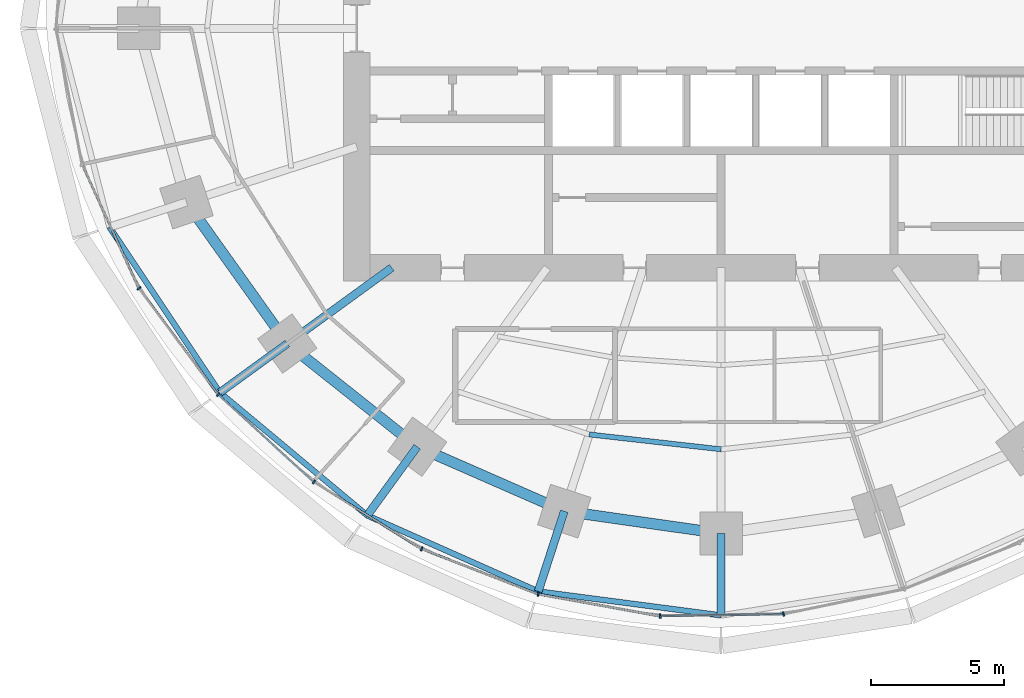
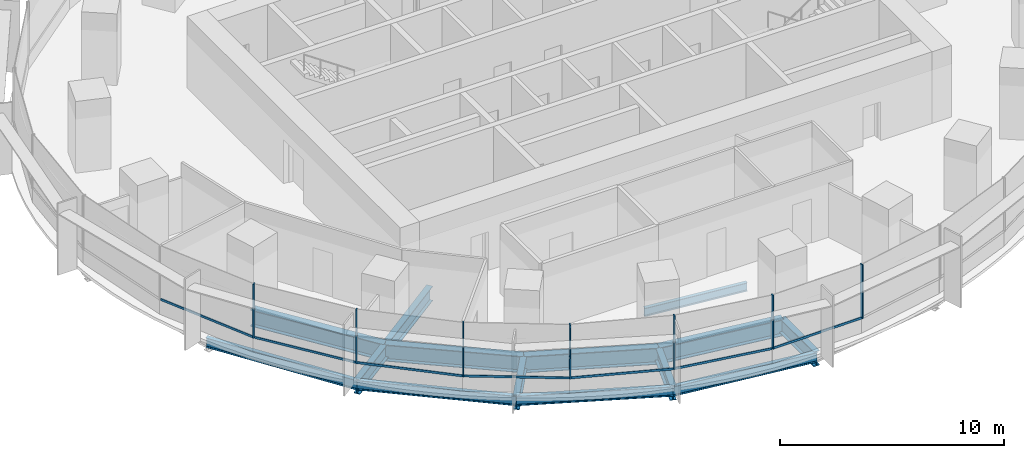
# One storey, part 2 of 14: 14 beams, 14 members, 2 elements without a shape of their own.
"""IFC4 building model written with IfcOpenShell, lengths in metres."""

from ifc_helpers import new_model, si_unit, direction, frame, origin, origin_2d, place, context, subcontext, project, spatial, rectangle, i_section, extrude, material, material_profile, profile_set, type_object, element, aggregate, save


model = new_model("IFC4")

# Units and contexts
model_context = context("Model", 3, precision=1e-05, world=origin(), true_north=direction((0.0, 1.0)))
body_context = subcontext(model_context, "Body", "Model", "MODEL_VIEW")
ifc_project = project(units=[si_unit("LENGTHUNIT", "METRE"), si_unit("AREAUNIT", "SQUARE_METRE"), si_unit("VOLUMEUNIT", "CUBIC_METRE"), si_unit("PLANEANGLEUNIT", "RADIAN"), si_unit("MASSUNIT", "GRAM", prefix="KILO")], contexts=[model_context])

# Site, building, storey
site_placement = place(None, origin())
site = spatial("IfcSite", under=ifc_project, at=site_placement, CompositionType="ELEMENT")
building_placement = place(site_placement, origin())
building = spatial("IfcBuilding", under=site, at=building_placement, Name="Marramba Exchange Tower", CompositionType="ELEMENT")
storey_placement = place(building_placement, frame((0.0, 0.0, 100.199951171875)))
storey = spatial("IfcBuildingStorey", under=building, at=storey_placement, Name="L23", CompositionType="ELEMENT", Elevation=100.199951171875)

# Beams
ifc_material_1 = material(Name="Steel AS/NZS 3679.2 grade 300", Category="steel")
ifc_material_profile_1 = material_profile(ifc_material_1, i_section(OverallWidth=0.300048828125, OverallDepth=0.800048828125, WebThickness=0.013916015625, FlangeThickness=0.031982421875, at=origin_2d()), Name="800WB192")
ifc_profile_set_1 = profile_set([ifc_material_profile_1], Name="Steel AS/NZS 3679.2 grade 300")
beam_type_1 = type_object("IfcBeamType", Name="Cantilever girder 800WB192", PredefinedType="BEAM", material=ifc_profile_set_1)
beam_1_placement = place(storey_placement, frame((-16.3154296875, -11.853759765625, -0.56005859375), z_axis=(-0.809025813822, -0.587773113173, 0.0), x_axis=(0.587773113173, -0.809025813822, 0.0)))
element("IfcBeam", 1, at=beam_1_placement, inside=storey, type_object=beam_type_1, Name="Cantilever girder L23 TC13", PredefinedType="BEAM", context=body_context, shape_type="SweptSolid", body=[
    extrude(i_section(OverallWidth=0.300048828125, OverallDepth=0.800048828125, WebThickness=0.013916015625, FlangeThickness=0.031982421875, at=origin_2d()), origin(), (0.0, 0.0, 1.0), 3.132568359375),
])
beam_2_placement = place(storey_placement, frame((-11.430419921875, -15.732666015625, -0.56005859375), z_axis=(-0.587767308424, -0.809030031054, 0.0), x_axis=(0.809030031054, -0.587767308424, 0.0)))
element("IfcBeam", 2, at=beam_2_placement, inside=storey, type_object=beam_type_1, Name="Cantilever girder L23 TC14", PredefinedType="BEAM", context=body_context, shape_type="SweptSolid", body=[
    extrude(i_section(OverallWidth=0.300048828125, OverallDepth=0.800048828125, WebThickness=0.013916015625, FlangeThickness=0.031982421875, at=origin_2d()), origin(), (0.0, 0.0, 1.0), 3.195556640625),
])
beam_3_placement = place(storey_placement, frame((-5.899658203125, -18.156982421875, -0.56005859375), z_axis=(-0.309018232614, -0.951056113966, 0.0), x_axis=(0.951056113966, -0.309018232614, 0.0)))
element("IfcBeam", 3, at=beam_3_placement, inside=storey, type_object=beam_type_1, Name="Cantilever girder L23 TC15", PredefinedType="BEAM", context=body_context, shape_type="SweptSolid", body=[
    extrude(i_section(OverallWidth=0.300048828125, OverallDepth=0.800048828125, WebThickness=0.013916015625, FlangeThickness=0.031982421875, at=origin_2d()), origin(), (0.0, 0.0, 1.0), 3.173583984375),
])
beam_4_placement = place(storey_placement, frame((0.0, -18.99609375, -0.56005859375), z_axis=(0.0, -1.0, 0.0), x_axis=(1.0, 0.0, 0.0)))
element("IfcBeam", 4, at=beam_4_placement, inside=storey, type_object=beam_type_1, Name="Cantilever girder L23 TC16", PredefinedType="BEAM", context=body_context, shape_type="SweptSolid", body=[
    extrude(i_section(OverallWidth=0.300048828125, OverallDepth=0.800048828125, WebThickness=0.013916015625, FlangeThickness=0.031982421875, at=origin_2d()), origin(), (0.0, 0.0, 1.0), 3.080810546875),
])
ifc_material_2 = material(Name="Steel AS/NZS 3679.1 grade 300", Category="steel")
ifc_material_profile_2 = material_profile(ifc_material_2, i_section(OverallWidth=0.18994140625, OverallDepth=0.4541015625, WebThickness=0.008544921875, FlangeThickness=0.0126953125, FilletRadius=0.011474609375, at=origin_2d()), Name="460UB67.1")
ifc_profile_set_2 = profile_set([ifc_material_profile_2], Name="Steel AS/NZS 3679.1 grade 300")
beam_type_2 = type_object("IfcBeamType", Name="Floor joist 460UB67.1", PredefinedType="JOIST", material=ifc_profile_set_2)
beam_5_placement = place(storey_placement, frame((-4.9619140625, -15.271484375, -0.386962890625), z_axis=(0.993712018573, -0.111966174106, 0.0), x_axis=(0.111966174106, 0.993712018573, 0.0)))
element("IfcBeam", 5, at=beam_5_placement, inside=storey, type_object=beam_type_2, Name="Joist L23 bay 15 row 2", PredefinedType="JOIST", context=body_context, shape_type="SweptSolid", body=[
    extrude(i_section(OverallWidth=0.18994140625, OverallDepth=0.4541015625, WebThickness=0.008544921875, FlangeThickness=0.0126953125, FilletRadius=0.011474609375, at=origin_2d()), origin(), (0.0, 0.0, 1.0), 4.993408203125),
])

# Curtain wall, members
ifc_material_3 = material(Name="Aluminium framing, bronze anodised", Category="aluminium")
curtain_wall_type = type_object("IfcCurtainWallType", Name="Office ribbon curtain wall", PredefinedType="USERDEFINED", material=ifc_material_3)
curtain_wall_1_placement = place(storey_placement, origin())
curtain_wall_1 = element("IfcCurtainWall", 6, at=curtain_wall_1_placement, inside=storey, type_object=curtain_wall_type, Name="Curtain wall CW4 L23 F16-F20", ObjectType="RIBBON CURTAIN WALL", PredefinedType="USERDEFINED")
ifc_material_4 = material(Name="Aluminium mullion, bronze anodised", Category="aluminium")
ifc_material_profile_3 = material_profile(ifc_material_4, rectangle(XDim=0.159912109375, YDim=0.06005859375, at=origin_2d()), Name="CW4 mullion 60x160")
ifc_profile_set_3 = profile_set([ifc_material_profile_3], Name="Aluminium mullion, bronze anodised")
member_type_1 = type_object("IfcMemberType", Name="Office ribbon curtain wall mullion", PredefinedType="MULLION", material=ifc_profile_set_3)
member_1_placement = place(storey_placement, frame((-21.891357421875, -9.778564453125, 0.800048828125), z_axis=(0.0, 0.0, 1.0), x_axis=(0.802014400683, 0.597304697033, 0.0)))
member_1 = element("IfcMember", 7, at=member_1_placement, type_object=member_type_1, Name="CW4 mullion 1", PredefinedType="MULLION", context=body_context, shape_type="SweptSolid", body=[
    extrude(rectangle(XDim=0.159912109375, YDim=0.06005859375, at=origin_2d()), origin(), (0.0, 0.0, 1.0), 2.93994140625),
])
member_2_placement = place(storey_placement, frame((-18.90869140625, -13.774169921875, 0.800048828125), z_axis=(0.0, 0.0, 1.0), x_axis=(0.674995455115, 0.737821886077, 0.0)))
member_2 = element("IfcMember", 8, at=member_2_placement, type_object=member_type_1, Name="CW4 mullion 1", PredefinedType="MULLION", context=body_context, shape_type="SweptSolid", body=[
    extrude(rectangle(XDim=0.159912109375, YDim=0.06005859375, at=origin_2d()), origin(), (0.0, 0.0, 1.0), 2.93994140625),
])
member_3_placement = place(storey_placement, frame((-15.315673828125, -17.053955078125, 0.800048828125), z_axis=(0.0, 0.0, 1.0), x_axis=(0.52942844364, 0.84835459748, 0.0)))
member_3 = element("IfcMember", 9, at=member_3_placement, type_object=member_type_1, Name="CW4 mullion 1", PredefinedType="MULLION", context=body_context, shape_type="SweptSolid", body=[
    extrude(rectangle(XDim=0.159912109375, YDim=0.06005859375, at=origin_2d()), origin(), (0.0, 0.0, 1.0), 2.93994140625),
])

curtain_wall_2_placement = place(storey_placement, origin())
curtain_wall_2 = element("IfcCurtainWall", 10, at=curtain_wall_2_placement, inside=storey, type_object=curtain_wall_type, Name="Curtain wall CW4 L23 F21-F25", ObjectType="RIBBON CURTAIN WALL", PredefinedType="USERDEFINED")
member_4_placement = place(storey_placement, frame((-11.266845703125, -19.573974609375, 0.800048828125), z_axis=(0.0, 0.0, 1.0), x_axis=(0.36292490603, 0.931818390344, 0.0)))
member_4 = element("IfcMember", 11, at=member_4_placement, type_object=member_type_1, Name="CW4 mullion 1", PredefinedType="MULLION", context=body_context, shape_type="SweptSolid", body=[
    extrude(rectangle(XDim=0.159912109375, YDim=0.06005859375, at=origin_2d()), origin(), (0.0, 0.0, 1.0), 2.93994140625),
])
member_5_placement = place(storey_placement, frame((-6.881591796875, -21.27587890625, 0.800048828125), z_axis=(0.0, 0.0, 1.0), x_axis=(0.177992379115, 0.984031865834, 0.0)))
member_5 = element("IfcMember", 12, at=member_5_placement, type_object=member_type_1, Name="CW4 mullion 1", PredefinedType="MULLION", context=body_context, shape_type="SweptSolid", body=[
    extrude(rectangle(XDim=0.159912109375, YDim=0.06005859375, at=origin_2d()), origin(), (0.0, 0.0, 1.0), 2.93994140625),
])
member_6_placement = place(storey_placement, frame((-2.292724609375, -22.099853515625, 0.800048828125), z_axis=(0.0, 0.0, 1.0), x_axis=(-0.015178646521, 0.999884797709, 0.0)))
member_6 = element("IfcMember", 13, at=member_6_placement, type_object=member_type_1, Name="CW4 mullion 1", PredefinedType="MULLION", context=body_context, shape_type="SweptSolid", body=[
    extrude(rectangle(XDim=0.159912109375, YDim=0.06005859375, at=origin_2d()), origin(), (0.0, 0.0, 1.0), 2.93994140625),
])
member_7_placement = place(storey_placement, frame((2.3447265625, -22.02392578125, 0.800048828125), z_axis=(0.0, 0.0, 1.0), x_axis=(-0.202364850159, 0.979310199794, 0.0)))
member_7 = element("IfcMember", 14, at=member_7_placement, type_object=member_type_1, Name="CW4 mullion 1", PredefinedType="MULLION", context=body_context, shape_type="SweptSolid", body=[
    extrude(rectangle(XDim=0.159912109375, YDim=0.06005859375, at=origin_2d()), origin(), (0.0, 0.0, 1.0), 2.93994140625),
])

# Member
ifc_material_5 = material(Name="Aluminium transom, bronze anodised", Category="aluminium")
ifc_material_profile_4 = material_profile(ifc_material_5, rectangle(XDim=0.06005859375, YDim=0.1201171875, at=origin_2d()), Name="CW4 transom 60x120")
ifc_profile_set_4 = profile_set([ifc_material_profile_4], Name="Aluminium transom, bronze anodised")
member_type_2 = type_object("IfcMemberType", Name="Office ribbon curtain wall transom", PredefinedType="USERDEFINED", material=ifc_profile_set_4)
member_8_placement = place(storey_placement, frame((-24.013671875, -5.1640625, 0.830078125), z_axis=(0.416732948599, -0.909028959688, 0.0), x_axis=(0.909028959688, 0.416732948599, 0.0)))
member_8 = element("IfcMember", 15, at=member_8_placement, type_object=member_type_2, Name="CW4 sill transom", ObjectType="TRANSOM", PredefinedType="USERDEFINED", context=body_context, shape_type="SweptSolid", body=[
    extrude(rectangle(XDim=0.06005859375, YDim=0.1201171875, at=origin_2d()), origin(), (0.0, 0.0, 1.0), 5.050048828125),
])

member_9_placement = place(storey_placement, frame((-21.873291015625, -9.802734375, 0.830078125), z_axis=(0.597300736643, -0.80201735019, 0.0), x_axis=(0.80201735019, 0.597300736643, 0.0)))
member_9 = element("IfcMember", 16, at=member_9_placement, type_object=member_type_2, Name="CW4 sill transom", ObjectType="TRANSOM", PredefinedType="USERDEFINED", context=body_context, shape_type="SweptSolid", body=[
    extrude(rectangle(XDim=0.06005859375, YDim=0.1201171875, at=origin_2d()), origin(), (0.0, 0.0, 1.0), 4.926513671875),
])

member_10_placement = place(storey_placement, frame((-18.886474609375, -13.79443359375, 0.830078125), z_axis=(0.737807565469, -0.675011108306, 0.0), x_axis=(0.675011108306, 0.737807565469, 0.0)))
member_10 = element("IfcMember", 17, at=member_10_placement, type_object=member_type_2, Name="CW4 sill transom", ObjectType="TRANSOM", PredefinedType="USERDEFINED", context=body_context, shape_type="SweptSolid", body=[
    extrude(rectangle(XDim=0.06005859375, YDim=0.1201171875, at=origin_2d()), origin(), (0.0, 0.0, 1.0), 4.805419921875),
])

member_11_placement = place(storey_placement, frame((-15.2900390625, -17.06982421875, 0.830078125), z_axis=(0.848373790728, -0.529397687193, 0.0), x_axis=(0.529397687193, 0.848373790728, 0.0)))
member_11 = element("IfcMember", 18, at=member_11_placement, type_object=member_type_2, Name="CW4 sill transom", ObjectType="TRANSOM", PredefinedType="USERDEFINED", context=body_context, shape_type="SweptSolid", body=[
    extrude(rectangle(XDim=0.06005859375, YDim=0.1201171875, at=origin_2d()), origin(), (0.0, 0.0, 1.0), 4.70947265625),
])

aggregate(curtain_wall_1, [member_8, member_1, member_9, member_2, member_10, member_3, member_11])

member_12_placement = place(storey_placement, frame((-11.23876953125, -19.5849609375, 0.830078125), z_axis=(0.931817106708, -0.362928201778, 0.0), x_axis=(0.362928201778, 0.931817106708, 0.0)))
member_12 = element("IfcMember", 19, at=member_12_placement, type_object=member_type_2, Name="CW4 sill transom", ObjectType="TRANSOM", PredefinedType="USERDEFINED", context=body_context, shape_type="SweptSolid", body=[
    extrude(rectangle(XDim=0.06005859375, YDim=0.1201171875, at=origin_2d()), origin(), (0.0, 0.0, 1.0), 4.644287109375),
])

member_13_placement = place(storey_placement, frame((-6.85205078125, -21.281005859375, 0.830078125), z_axis=(0.98402906811, -0.178007845654, 0.0), x_axis=(0.178007845654, 0.98402906811, 0.0)))
member_13 = element("IfcMember", 20, at=member_13_placement, type_object=member_type_2, Name="CW4 sill transom", ObjectType="TRANSOM", PredefinedType="USERDEFINED", context=body_context, shape_type="SweptSolid", body=[
    extrude(rectangle(XDim=0.06005859375, YDim=0.1201171875, at=origin_2d()), origin(), (0.0, 0.0, 1.0), 4.602783203125),
])

member_14_placement = place(storey_placement, frame((-2.262939453125, -22.099365234375, 0.830078125), z_axis=(0.999885345665, 0.015142507235, 0.0), x_axis=(-0.015142507235, 0.999885345665, 0.0)))
member_14 = element("IfcMember", 21, at=member_14_placement, type_object=member_type_2, Name="CW4 sill transom", ObjectType="TRANSOM", PredefinedType="USERDEFINED", context=body_context, shape_type="SweptSolid", body=[
    extrude(rectangle(XDim=0.06005859375, YDim=0.1201171875, at=origin_2d()), origin(), (0.0, 0.0, 1.0), 4.578857421875),
])

aggregate(curtain_wall_2, [member_4, member_12, member_5, member_13, member_6, member_14, member_7])

# Beams
ifc_material_profile_5 = material_profile(ifc_material_1, i_section(OverallWidth=0.300048828125, OverallDepth=0.800048828125, WebThickness=0.013916015625, FlangeThickness=0.031982421875, at=origin_2d()), Name="800WB192")
ifc_profile_set_5 = profile_set([ifc_material_profile_5], Name="Steel AS/NZS 3679.2 grade 300")
beam_type_3 = type_object("IfcBeamType", Name="Radial girder 800WB192", PredefinedType="BEAM", material=ifc_profile_set_5)
beam_6_placement = place(storey_placement, frame((-12.387451171875, -9.0, -0.56005859375), z_axis=(-0.809025189606, -0.58777397236, 0.0), x_axis=(0.58777397236, -0.809025189606, 0.0)))
element("IfcBeam", 22, at=beam_6_placement, inside=storey, type_object=beam_type_3, Name="Radial girder L23 TC13", PredefinedType="BEAM", context=body_context, shape_type="SweptSolid", body=[
    extrude(i_section(OverallWidth=0.300048828125, OverallDepth=0.800048828125, WebThickness=0.013916015625, FlangeThickness=0.031982421875, at=origin_2d()), origin(), (0.0, 0.0, 1.0), 4.855224609375),
])
ifc_material_profile_6 = material_profile(ifc_material_1, i_section(OverallWidth=0.39990234375, OverallDepth=0.89990234375, WebThickness=0.01611328125, FlangeThickness=0.031982421875, at=origin_2d()), Name="900WB282")
ifc_profile_set_6 = profile_set([ifc_material_profile_6], Name="Steel AS/NZS 3679.2 grade 300")
beam_type_4 = type_object("IfcBeamType", Name="Ring beam 900WB282", PredefinedType="SPANDREL", material=ifc_profile_set_6)
beam_7_placement = place(storey_placement, frame((-20.109375, -6.533935546875, -0.60986328125), z_axis=(0.580637181111, -0.814162430914, 0.0), x_axis=(0.814162430914, 0.580637181111, 0.0)))
element("IfcBeam", 23, at=beam_7_placement, inside=storey, type_object=beam_type_4, Name="Ring beam L23 TC12-TC13", PredefinedType="SPANDREL", context=body_context, shape_type="SweptSolid", body=[
    extrude(i_section(OverallWidth=0.39990234375, OverallDepth=0.89990234375, WebThickness=0.01611328125, FlangeThickness=0.031982421875, at=origin_2d()), origin(), (0.0, 0.0, 1.0), 6.5341796875),
])
beam_8_placement = place(storey_placement, frame((-16.3154296875, -11.853759765625, -0.60986328125), z_axis=(0.783139438128, -0.621846138887, 0.0), x_axis=(0.621846138887, 0.783139438128, 0.0)))
element("IfcBeam", 24, at=beam_8_placement, inside=storey, type_object=beam_type_4, Name="Ring beam L23 TC13-TC14", PredefinedType="SPANDREL", context=body_context, shape_type="SweptSolid", body=[
    extrude(i_section(OverallWidth=0.39990234375, OverallDepth=0.89990234375, WebThickness=0.01611328125, FlangeThickness=0.031982421875, at=origin_2d()), origin(), (0.0, 0.0, 1.0), 6.23779296875),
])
beam_9_placement = place(storey_placement, frame((-11.430419921875, -15.732666015625, -0.60986328125), z_axis=(0.915876892158, -0.4014592363, 0.0), x_axis=(0.4014592363, 0.915876892158, 0.0)))
element("IfcBeam", 25, at=beam_9_placement, inside=storey, type_object=beam_type_4, Name="Ring beam L23 TC14-TC15", PredefinedType="SPANDREL", context=body_context, shape_type="SweptSolid", body=[
    extrude(i_section(OverallWidth=0.39990234375, OverallDepth=0.89990234375, WebThickness=0.01611328125, FlangeThickness=0.031982421875, at=origin_2d()), origin(), (0.0, 0.0, 1.0), 6.038818359375),
])
beam_10_placement = place(storey_placement, frame((-5.899658203125, -18.156982421875, -0.60986328125), z_axis=(0.990036163016, -0.140813337152, 0.0), x_axis=(0.140813337152, 0.990036163016, 0.0)))
element("IfcBeam", 26, at=beam_10_placement, inside=storey, type_object=beam_type_4, Name="Ring beam L23 TC15-TC16", PredefinedType="SPANDREL", context=body_context, shape_type="SweptSolid", body=[
    extrude(i_section(OverallWidth=0.39990234375, OverallDepth=0.89990234375, WebThickness=0.01611328125, FlangeThickness=0.031982421875, at=origin_2d()), origin(), (0.0, 0.0, 1.0), 5.958984375),
])
ifc_material_profile_7 = material_profile(ifc_material_2, i_section(OverallWidth=0.208984375, OverallDepth=0.528076171875, WebThickness=0.009521484375, FlangeThickness=0.01318359375, FilletRadius=0.013916015625, at=origin_2d()), Name="530UB82.0")
ifc_profile_set_7 = profile_set([ifc_material_profile_7], Name="Steel AS/NZS 3679.1 grade 300")
beam_type_5 = type_object("IfcBeamType", Name="Slab edge beam 530UB82.0", PredefinedType="SPANDREL", material=ifc_profile_set_7)
beam_11_placement = place(storey_placement, frame((-23.00341796875, -7.47412109375, -0.424072265625), z_axis=(0.555280023791, -0.831663450669, 0.0), x_axis=(0.831663450669, 0.555280023791, 0.0)))
element("IfcBeam", 27, at=beam_11_placement, inside=storey, type_object=beam_type_5, Name="Slab edge beam L23 TC12-TC13", PredefinedType="SPANDREL", context=body_context, shape_type="SweptSolid", body=[
    extrude(i_section(OverallWidth=0.208984375, OverallDepth=0.528076171875, WebThickness=0.009521484375, FlangeThickness=0.01318359375, FilletRadius=0.013916015625, at=origin_2d()), origin(), (0.0, 0.0, 1.0), 7.480224609375),
])
beam_12_placement = place(storey_placement, frame((-18.849853515625, -13.695068359375, -0.424072265625), z_axis=(0.767874532322, -0.640600267415, 0.0), x_axis=(0.640600267415, 0.767874532322, 0.0)))
element("IfcBeam", 28, at=beam_12_placement, inside=storey, type_object=beam_type_5, Name="Slab edge beam L23 TC13-TC14", PredefinedType="SPANDREL", context=body_context, shape_type="SweptSolid", body=[
    extrude(i_section(OverallWidth=0.208984375, OverallDepth=0.528076171875, WebThickness=0.009521484375, FlangeThickness=0.01318359375, FilletRadius=0.013916015625, at=origin_2d()), origin(), (0.0, 0.0, 1.0), 7.21630859375),
])
beam_13_placement = place(storey_placement, frame((-13.30859375, -18.31787109375, -0.424072265625), z_axis=(0.913788648873, -0.406189986571, 0.0), x_axis=(0.406189986571, 0.913788648873, 0.0)))
element("IfcBeam", 29, at=beam_13_placement, inside=storey, type_object=beam_type_5, Name="Slab edge beam L23 TC14-TC15", PredefinedType="SPANDREL", context=body_context, shape_type="SweptSolid", body=[
    extrude(i_section(OverallWidth=0.208984375, OverallDepth=0.528076171875, WebThickness=0.009521484375, FlangeThickness=0.01318359375, FilletRadius=0.013916015625, at=origin_2d()), origin(), (0.0, 0.0, 1.0), 7.03466796875),
])
beam_14_placement = place(storey_placement, frame((-6.88037109375, -21.17529296875, -0.424072265625), z_axis=(0.991523133546, -0.129930272237, 0.0), x_axis=(0.129930272237, 0.991523133546, 0.0)))
element("IfcBeam", 30, at=beam_14_placement, inside=storey, type_object=beam_type_5, Name="Slab edge beam L23 TC15-TC16", PredefinedType="SPANDREL", context=body_context, shape_type="SweptSolid", body=[
    extrude(i_section(OverallWidth=0.208984375, OverallDepth=0.528076171875, WebThickness=0.009521484375, FlangeThickness=0.01318359375, FilletRadius=0.013916015625, at=origin_2d()), origin(), (0.0, 0.0, 1.0), 6.939208984375),
])

save(model, "model.ifc")
